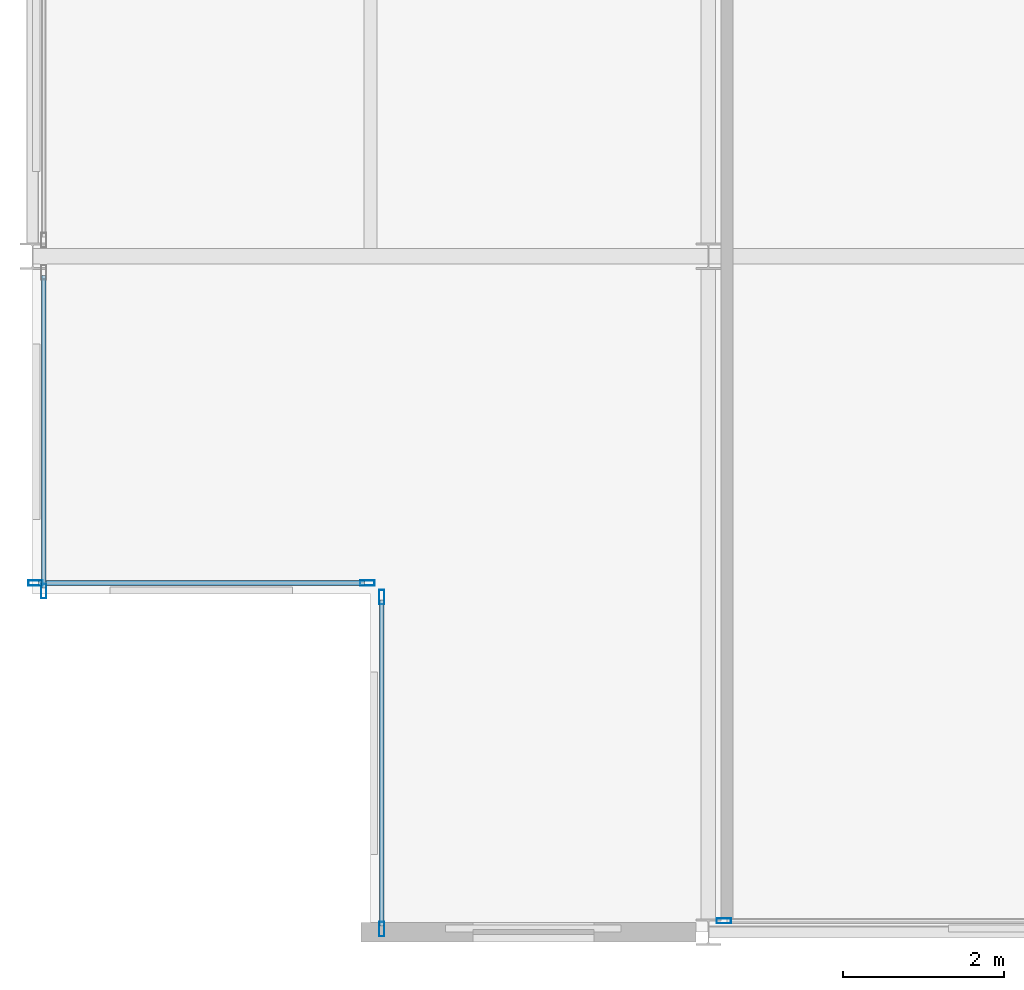
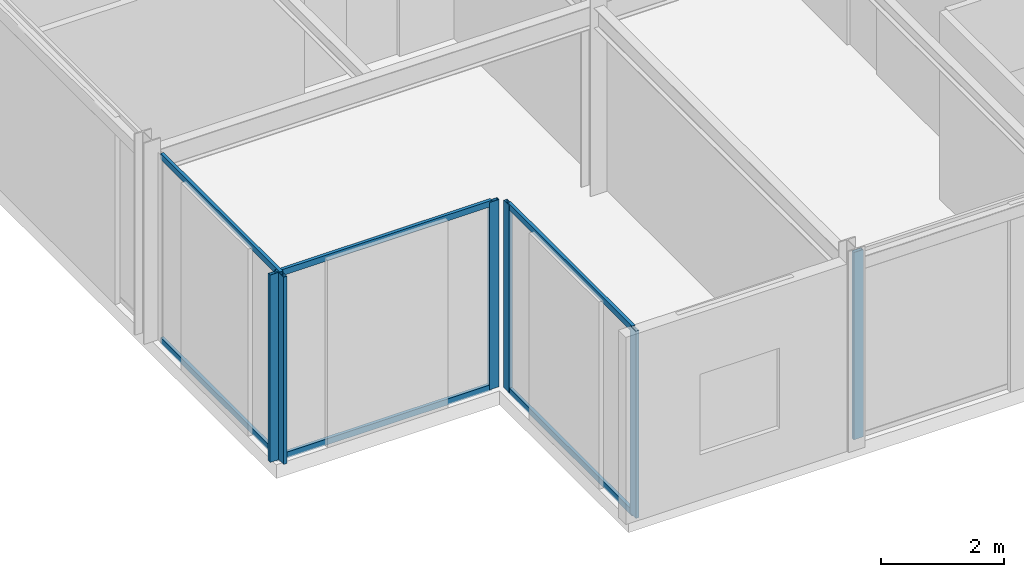
# One storey, part 3 of 24: 12 members, 4 elements without a shape of their own.
"""IFC4 building model written with IfcOpenShell, lengths in metres."""

from ifc_helpers import new_model, si_unit, direction, frame, origin, origin_2d, place, context, subcontext, project, spatial, hollow_rectangle, extrude, material, layer, layer_set, material_profile, profile_set, type_object, element, aggregate, save


model = new_model("IFC4")

# Units and contexts
model_context = context("Model", 3, precision=1e-05, world=origin(), true_north=direction((0.0, 1.0)))
body_context = subcontext(model_context, "Body", "Model", "MODEL_VIEW")
ifc_project = project(units=[si_unit("LENGTHUNIT", "METRE"), si_unit("AREAUNIT", "SQUARE_METRE"), si_unit("VOLUMEUNIT", "CUBIC_METRE"), si_unit("PLANEANGLEUNIT", "RADIAN"), si_unit("MASSUNIT", "GRAM", prefix="KILO")], contexts=[model_context])

# Site, building, storey
site_placement = place(None, origin())
site = spatial("IfcSite", under=ifc_project, at=site_placement, CompositionType="ELEMENT")
building_placement = place(site_placement, origin())
building = spatial("IfcBuilding", under=site, at=building_placement, Name="Nerrivon Quay Data Exchange", CompositionType="ELEMENT")
storey_placement = place(building_placement, frame((0.0, 0.0, 306.199951171875)))
storey = spatial("IfcBuildingStorey", under=building, at=storey_placement, Name="L73", CompositionType="ELEMENT", Elevation=306.199951171875)

# Curtain wall, member
ifc_material = material(Name="Anodised aluminium 6063-T6", Category="aluminium")
ifc_layer = layer(ifc_material, 0.195068359375)
ifc_layer_set = layer_set([ifc_layer], Name="Anodised aluminium 6063-T6")
curtain_wall_type = type_object("IfcCurtainWallType", Name="CW-SYS-06", PredefinedType="NOTDEFINED", material=ifc_layer_set)
curtain_wall_1_placement = place(storey_placement, origin())
curtain_wall_1 = element("IfcCurtainWall", 1, at=curtain_wall_1_placement, inside=storey, type_object=curtain_wall_type, Name="L73 Unitised Curtain Wall 4", PredefinedType="NOTDEFINED")
ifc_material_profile_1 = material_profile(ifc_material, hollow_rectangle(XDim=0.06494140625, YDim=0.179931640625, WallThickness=0.00341796875, at=origin_2d()), Name="ALU-MULL-180x65")
ifc_profile_set_1 = profile_set([ifc_material_profile_1], Name="Anodised aluminium 6063-T6")
member_type_1 = type_object("IfcMemberType", Name="CWM-180x65", PredefinedType="MULLION", material=ifc_profile_set_1)
member_1_placement = place(storey_placement, frame((8.593017578125, 0.139892578125, 0.0), z_axis=(0.0, 0.0, 1.0), x_axis=(0.0, -1.0, 0.0)))
member_1 = element("IfcMember", 2, at=member_1_placement, type_object=member_type_1, Name="CW06 mullion 2", PredefinedType="MULLION", context=body_context, shape_type="SweptSolid", body=[
    extrude(hollow_rectangle(XDim=0.06494140625, YDim=0.179931640625, WallThickness=0.00341796875, at=origin_2d()), origin(), (0.0, 0.0, 1.0), 3.72509765625),
])
aggregate(curtain_wall_1, [member_1])

# Curtain wall, members
curtain_wall_2_placement = place(storey_placement, origin())
curtain_wall_2 = element("IfcCurtainWall", 3, at=curtain_wall_2_placement, inside=storey, type_object=curtain_wall_type, Name="L73 Unitised Curtain Wall 6", PredefinedType="NOTDEFINED")
member_2_placement = place(storey_placement, frame((4.340087890625, 0.03759765625, 0.0), z_axis=(0.0, 0.0, 1.0), x_axis=(-1.0, 0.0, 0.0)))
member_2 = element("IfcMember", 4, at=member_2_placement, type_object=member_type_1, Name="CW06 mullion 1", PredefinedType="MULLION", context=body_context, shape_type="SweptSolid", body=[
    extrude(hollow_rectangle(XDim=0.06494140625, YDim=0.179931640625, WallThickness=0.00341796875, at=origin_2d()), origin(), (0.0, 0.0, 1.0), 3.72509765625),
])
member_3_placement = place(storey_placement, frame((4.340087890625, 4.16259765625, 0.0), z_axis=(0.0, 0.0, 1.0), x_axis=(-1.0, 0.0, 0.0)))
member_3 = element("IfcMember", 5, at=member_3_placement, type_object=member_type_1, Name="CW06 mullion 2", PredefinedType="MULLION", context=body_context, shape_type="SweptSolid", body=[
    extrude(hollow_rectangle(XDim=0.06494140625, YDim=0.179931640625, WallThickness=0.00341796875, at=origin_2d()), origin(), (0.0, 0.0, 1.0), 3.72509765625),
])

curtain_wall_3_placement = place(storey_placement, origin())
curtain_wall_3 = element("IfcCurtainWall", 6, at=curtain_wall_3_placement, inside=storey, type_object=curtain_wall_type, Name="L73 Unitised Curtain Wall 7", PredefinedType="NOTDEFINED")
member_4_placement = place(storey_placement, frame((4.16259765625, 4.340087890625, 0.0), z_axis=(0.0, 0.0, 1.0), x_axis=(0.0, -1.0, 0.0)))
member_4 = element("IfcMember", 7, at=member_4_placement, type_object=member_type_1, Name="CW06 mullion 1", PredefinedType="MULLION", context=body_context, shape_type="SweptSolid", body=[
    extrude(hollow_rectangle(XDim=0.06494140625, YDim=0.179931640625, WallThickness=0.00341796875, at=origin_2d()), origin(), (0.0, 0.0, 1.0), 3.72509765625),
])
member_5_placement = place(storey_placement, frame((0.03759765625, 4.340087890625, 0.0), z_axis=(0.0, 0.0, 1.0), x_axis=(0.0, -1.0, 0.0)))
member_5 = element("IfcMember", 8, at=member_5_placement, type_object=member_type_1, Name="CW06 mullion 2", PredefinedType="MULLION", context=body_context, shape_type="SweptSolid", body=[
    extrude(hollow_rectangle(XDim=0.06494140625, YDim=0.179931640625, WallThickness=0.00341796875, at=origin_2d()), origin(), (0.0, 0.0, 1.0), 3.72509765625),
])

# Curtain wall, member
curtain_wall_4_placement = place(storey_placement, origin())
curtain_wall_4 = element("IfcCurtainWall", 9, at=curtain_wall_4_placement, inside=storey, type_object=curtain_wall_type, Name="L73 Unitised Curtain Wall 8", PredefinedType="NOTDEFINED")
member_6_placement = place(storey_placement, frame((0.139892578125, 4.237548828125, 0.0), z_axis=(0.0, 0.0, 1.0), x_axis=(-1.0, 0.0, 0.0)))
member_6 = element("IfcMember", 10, at=member_6_placement, type_object=member_type_1, Name="CW06 mullion 1", PredefinedType="MULLION", context=body_context, shape_type="SweptSolid", body=[
    extrude(hollow_rectangle(XDim=0.06494140625, YDim=0.179931640625, WallThickness=0.00341796875, at=origin_2d()), origin(), (0.0, 0.0, 1.0), 3.72509765625),
])

# Member
ifc_material_profile_2 = material_profile(ifc_material, hollow_rectangle(XDim=0.06005859375, YDim=0.1201171875, WallThickness=0.003173828125, at=origin_2d()), Name="ALU-TRAN-120x60")
ifc_profile_set_2 = profile_set([ifc_material_profile_2], Name="Anodised aluminium 6063-T6")
member_type_2 = type_object("IfcMemberType", Name="CWT-120x60", PredefinedType="USERDEFINED", material=ifc_profile_set_2)
member_7_placement = place(storey_placement, frame((4.340087890625, 0.074951171875, 0.032470703125), z_axis=(0.0, 1.0, 0.0), x_axis=(-1.0, 0.0, 0.0)))
member_7 = element("IfcMember", 11, at=member_7_placement, type_object=member_type_2, Name="CW06 transom 1.1", ObjectType="TRANSOM", PredefinedType="USERDEFINED", context=body_context, shape_type="SweptSolid", body=[
    extrude(hollow_rectangle(XDim=0.06005859375, YDim=0.1201171875, WallThickness=0.003173828125, at=origin_2d()), origin(), (0.0, 0.0, 1.0), 4.050048828125),
])

member_8_placement = place(storey_placement, frame((4.340087890625, 0.074951171875, 3.692626953125), z_axis=(0.0, 1.0, 0.0), x_axis=(-1.0, 0.0, 0.0)))
member_8 = element("IfcMember", 12, at=member_8_placement, type_object=member_type_2, Name="CW06 transom 1.2", ObjectType="TRANSOM", PredefinedType="USERDEFINED", context=body_context, shape_type="SweptSolid", body=[
    extrude(hollow_rectangle(XDim=0.06005859375, YDim=0.1201171875, WallThickness=0.003173828125, at=origin_2d()), origin(), (0.0, 0.0, 1.0), 4.050048828125),
])

aggregate(curtain_wall_2, [member_2, member_3, member_7, member_8])

member_9_placement = place(storey_placement, frame((4.125, 4.340087890625, 0.032470703125), z_axis=(-1.0, 0.0, 0.0), x_axis=(0.0, -1.0, 0.0)))
member_9 = element("IfcMember", 13, at=member_9_placement, type_object=member_type_2, Name="CW06 transom 1.1", ObjectType="TRANSOM", PredefinedType="USERDEFINED", context=body_context, shape_type="SweptSolid", body=[
    extrude(hollow_rectangle(XDim=0.06005859375, YDim=0.1201171875, WallThickness=0.003173828125, at=origin_2d()), origin(), (0.0, 0.0, 1.0), 4.050048828125),
])

member_10_placement = place(storey_placement, frame((4.125, 4.340087890625, 3.692626953125), z_axis=(-1.0, 0.0, 0.0), x_axis=(0.0, -1.0, 0.0)))
member_10 = element("IfcMember", 14, at=member_10_placement, type_object=member_type_2, Name="CW06 transom 1.2", ObjectType="TRANSOM", PredefinedType="USERDEFINED", context=body_context, shape_type="SweptSolid", body=[
    extrude(hollow_rectangle(XDim=0.06005859375, YDim=0.1201171875, WallThickness=0.003173828125, at=origin_2d()), origin(), (0.0, 0.0, 1.0), 4.050048828125),
])

aggregate(curtain_wall_3, [member_4, member_5, member_9, member_10])

member_11_placement = place(storey_placement, frame((0.139892578125, 4.27490234375, 0.032470703125), z_axis=(0.0, 1.0, 0.0), x_axis=(-1.0, 0.0, 0.0)))
member_11 = element("IfcMember", 15, at=member_11_placement, type_object=member_type_2, Name="CW06 transom 1.1", ObjectType="TRANSOM", PredefinedType="USERDEFINED", context=body_context, shape_type="SweptSolid", body=[
    extrude(hollow_rectangle(XDim=0.06005859375, YDim=0.1201171875, WallThickness=0.003173828125, at=origin_2d()), origin(), (0.0, 0.0, 1.0), 3.88671875),
])

member_12_placement = place(storey_placement, frame((0.139892578125, 4.27490234375, 3.692626953125), z_axis=(0.0, 1.0, 0.0), x_axis=(-1.0, 0.0, 0.0)))
member_12 = element("IfcMember", 16, at=member_12_placement, type_object=member_type_2, Name="CW06 transom 1.2", ObjectType="TRANSOM", PredefinedType="USERDEFINED", context=body_context, shape_type="SweptSolid", body=[
    extrude(hollow_rectangle(XDim=0.06005859375, YDim=0.1201171875, WallThickness=0.003173828125, at=origin_2d()), origin(), (0.0, 0.0, 1.0), 3.88671875),
])

aggregate(curtain_wall_4, [member_6, member_11, member_12])

save(model, "model.ifc")
